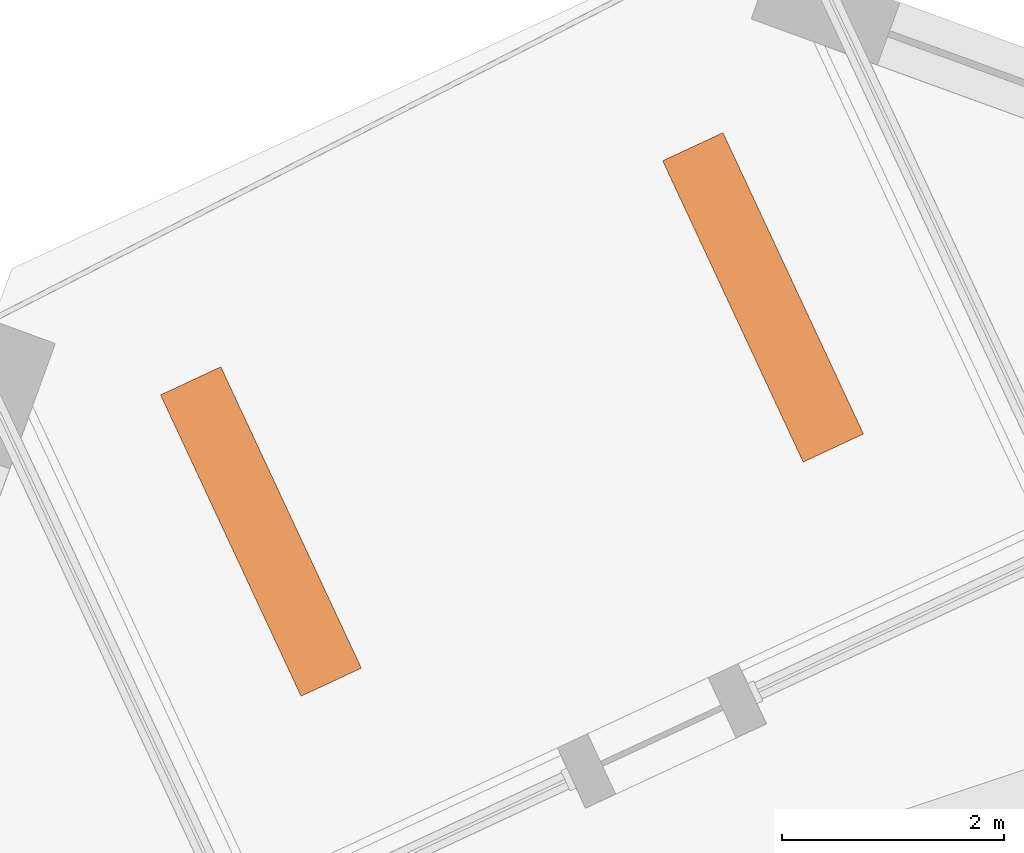
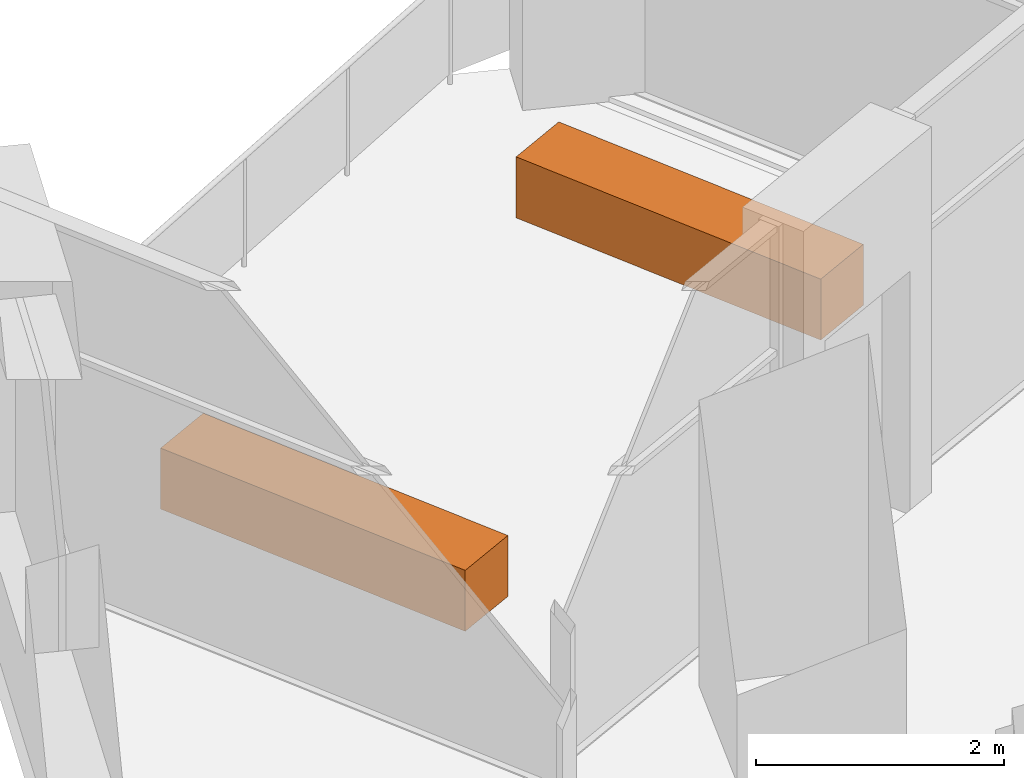
# One storey, part 13 of 13: 2 proxies.
"""IFC4 building model written with IfcOpenShell, lengths in metres."""

from ifc_helpers import new_model, si_unit, direction, frame, origin, origin_2d, place, context, subcontext, project, spatial, rectangle, extrude, element, save


model = new_model("IFC4")

# Units and contexts
model_context = context("Model", 3, precision=1e-05, world=origin(), true_north=direction((0.0, 1.0)))
body_context = subcontext(model_context, "Body", "Model", "MODEL_VIEW")
ifc_project = project(units=[si_unit("LENGTHUNIT", "METRE"), si_unit("AREAUNIT", "SQUARE_METRE"), si_unit("VOLUMEUNIT", "CUBIC_METRE"), si_unit("PLANEANGLEUNIT", "RADIAN"), si_unit("MASSUNIT", "GRAM", prefix="KILO")], contexts=[model_context])

# Site, building, storey
site_placement = place(None, origin())
site = spatial("IfcSite", under=ifc_project, at=site_placement, CompositionType="ELEMENT")
building_placement = place(site_placement, origin())
building = spatial("IfcBuilding", under=site, at=building_placement, Name="Dilmun Exchange Tower", CompositionType="ELEMENT")
storey_placement = place(building_placement, frame((0.0, 0.0, 312.5)))
storey = spatial("IfcBuildingStorey", under=building, at=storey_placement, Name="L74", CompositionType="ELEMENT", Elevation=312.5)

# Proxies
for number, where, z_axis, x_axis, name in (
    (1, (-10.041015625, 32.468017578125, 0.0), (0.0, 0.0, 1.0), (-0.422618261741, 0.906307787037, 0.0), "PLANTER Desert shrub L74.1"),
    (2, (-14.572509765625, 30.35498046875, 0.0), (0.0, 0.0, 1.0), (-0.422618261741, 0.906307787037, 0.0), "PLANTER Desert shrub L74.2"),
):
    element("IfcBuildingElementProxy", number, at=place(storey_placement, frame(where, z_axis=z_axis, x_axis=x_axis)), inside=storey, Name=name, ObjectType="PLANTER", PredefinedType="USERDEFINED", context=body_context, shape_type="SweptSolid", body=[
        extrude(rectangle(XDim=3.0, YDim=0.60009765625, at=origin_2d()), origin(), (0.0, 0.0, 1.0), 0.60009765625),
    ])

save(model, "model.ifc")
